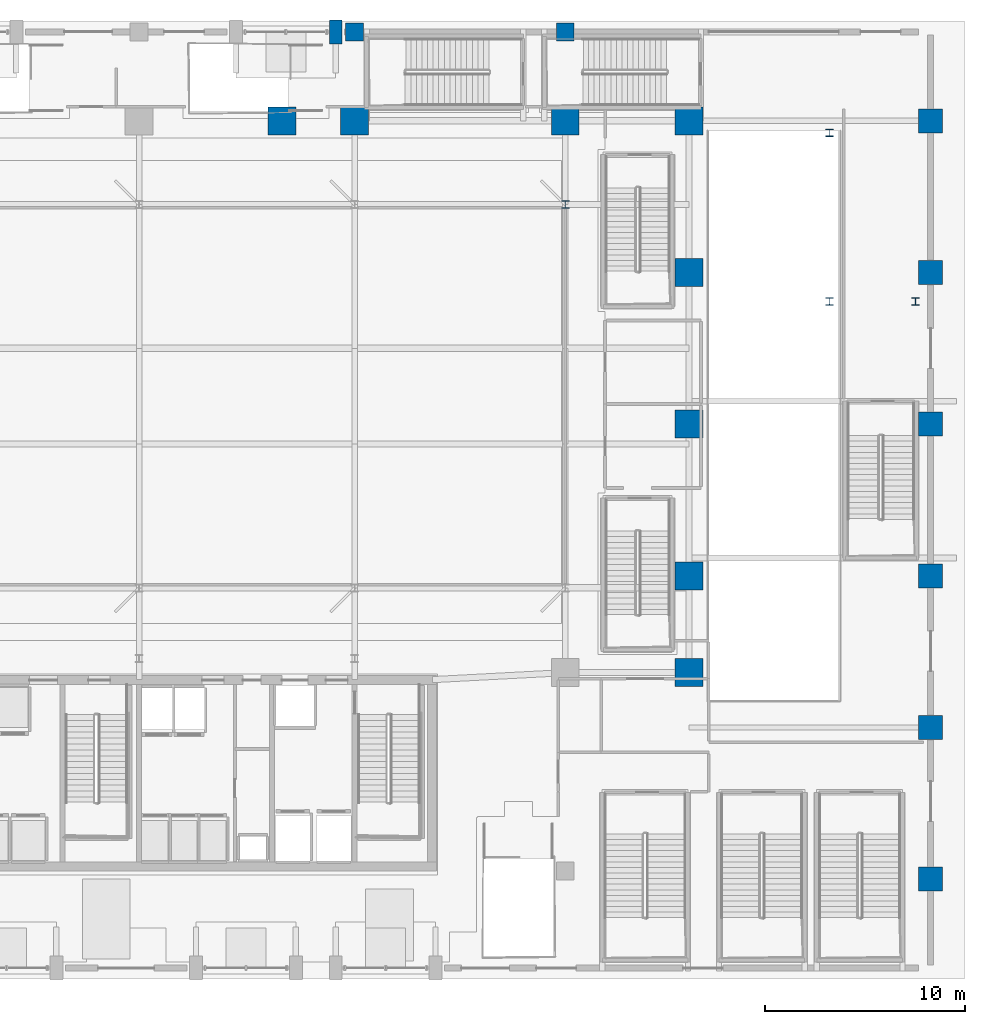
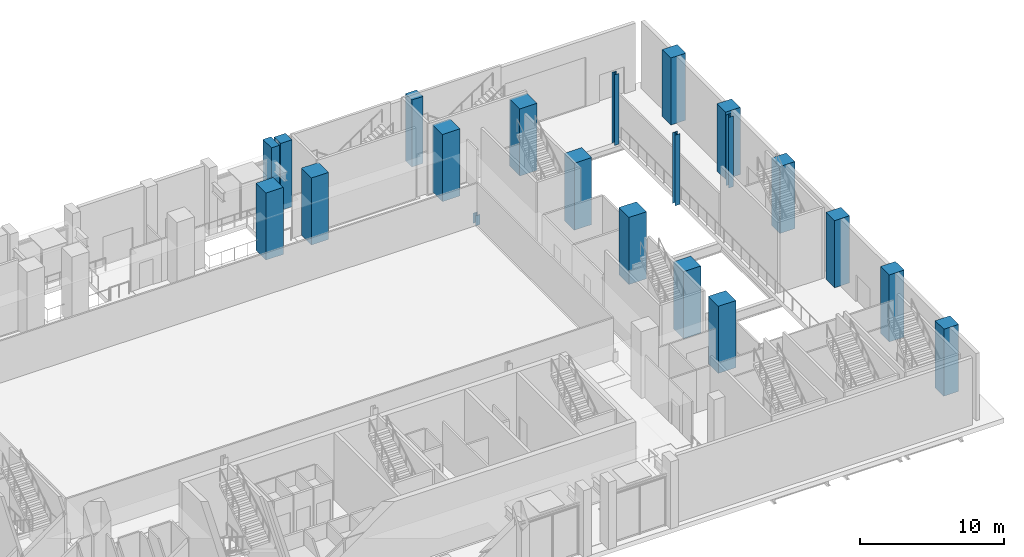
# One storey, part 4 of 36: 21 columns.
"""IFC4 building model written with IfcOpenShell, lengths in metres."""

from ifc_helpers import new_model, si_unit, direction, frame, origin, origin_2d, place, context, subcontext, project, spatial, rectangle, i_section, extrude, material, material_profile, profile_set, type_object, element, save


model = new_model("IFC4")

# Units and contexts
model_context = context("Model", 3, precision=1e-05, world=origin(), true_north=direction((0.0, 1.0)))
body_context = subcontext(model_context, "Body", "Model", "MODEL_VIEW")
ifc_project = project(units=[si_unit("LENGTHUNIT", "METRE"), si_unit("AREAUNIT", "SQUARE_METRE"), si_unit("VOLUMEUNIT", "CUBIC_METRE"), si_unit("PLANEANGLEUNIT", "RADIAN"), si_unit("MASSUNIT", "GRAM", prefix="KILO")], contexts=[model_context])

# Site, building, storey
site_placement = place(None, origin())
site = spatial("IfcSite", under=ifc_project, at=site_placement, CompositionType="ELEMENT")
building_placement = place(site_placement, origin())
building = spatial("IfcBuilding", under=site, at=building_placement, Name="Ndaravel Arena Tower", CompositionType="ELEMENT")
storey_placement = place(building_placement, origin())
storey = spatial("IfcBuildingStorey", under=building, at=storey_placement, Name="L00", CompositionType="ELEMENT", Elevation=0.0)

# Columns
ifc_material_1 = material(Name="Concrete C40/50", Category="concrete")
ifc_material_profile_1 = material_profile(ifc_material_1, rectangle(XDim=0.89990234375, YDim=0.89990234375, at=origin_2d()), Name="RC 900x900")
ifc_profile_set_1 = profile_set([ifc_material_profile_1], Name="Concrete C40/50")
column_type_1 = type_object("IfcColumnType", Name="COL-BSMT-RC900", PredefinedType="COLUMN", material=ifc_profile_set_1)
for number, where, z_axis, x_axis, name in (
    (1, (53.449951171875, 47.449951171875, 0.0), (0.0, 0.0, 1.0), (1.0, 0.0, 0.0), "L00 North Concourse Column 4"),
    (2, (64.0, 47.449951171875, 0.0), (0.0, 0.0, 1.0), (1.0, 0.0, 0.0), "L00 North Concourse Column 5"),
):
    element("IfcColumn", number, at=place(storey_placement, frame(where, z_axis=z_axis, x_axis=x_axis)), inside=storey, type_object=column_type_1, Name=name, PredefinedType="COLUMN", context=body_context, shape_type="SweptSolid", body=[
        extrude(rectangle(XDim=0.89990234375, YDim=0.89990234375, at=origin_2d()), origin(), (0.0, 0.0, 1.0), 5.699951171875),
    ])
ifc_material_2 = material(Name="Steel S355", Category="steel")
ifc_material_profile_2 = material_profile(ifc_material_2, i_section(OverallWidth=0.374755859375, OverallDepth=0.37451171875, WebThickness=0.0166015625, FlangeThickness=0.027099609375, FilletRadius=0.01513671875, at=origin_2d()), Name="UC 356x368x202")
ifc_profile_set_2 = profile_set([ifc_material_profile_2], Name="Steel S355")
column_type_2 = type_object("IfcColumnType", Name="COL-CRN-UC202", PredefinedType="COLUMN", material=ifc_profile_set_2)
column_1_placement = place(storey_placement, frame((64.0, 38.800048828125, 0.0), z_axis=(0.0, 0.0, 1.0), x_axis=(1.0, 0.0, 0.0)))
element("IfcColumn", 3, at=column_1_placement, inside=storey, type_object=column_type_2, Name="L00 North Stand Raker Plinth Post 5", PredefinedType="COLUMN", context=body_context, shape_type="SweptSolid", body=[
    extrude(i_section(OverallWidth=0.374755859375, OverallDepth=0.37451171875, WebThickness=0.0166015625, FlangeThickness=0.027099609375, FilletRadius=0.01513671875, at=origin_2d()), origin(), (0.0, 0.0, 1.0), 0.85009765625),
])
for number, where, z_axis, x_axis, name in (
    (4, (77.25, 33.949951171875, 0.0), (0.0, 0.0, 1.0), (1.0, 0.0, 0.0), "L00 Garden Stair ST-GDN-2 Pier 1.1"),
    (5, (77.25, 42.39990234375, 0.0), (0.0, 0.0, 1.0), (1.0, 0.0, 0.0), "L00 Garden Stair ST-GDN-2 Pier 1.2"),
    (6, (81.550048828125, 33.949951171875, 0.0), (0.0, 0.0, 1.0), (1.0, 0.0, 0.0), "L00 Garden Stair ST-GDN-2 Pier 2.1"),
):
    element("IfcColumn", number, at=place(storey_placement, frame(where, z_axis=z_axis, x_axis=x_axis)), inside=storey, type_object=column_type_2, Name=name, PredefinedType="COLUMN", context=body_context, shape_type="SweptSolid", body=[
        extrude(i_section(OverallWidth=0.374755859375, OverallDepth=0.37451171875, WebThickness=0.0166015625, FlangeThickness=0.027099609375, FilletRadius=0.01513671875, at=origin_2d()), origin(), (0.0, 0.0, 1.0), 6.0),
    ])
ifc_material_3 = material(Name="Concrete C60/75", Category="concrete")
ifc_material_profile_3 = material_profile(ifc_material_3, rectangle(XDim=1.199951171875, YDim=1.199951171875, at=origin_2d()), Name="RC 1200x1200")
ifc_profile_set_3 = profile_set([ifc_material_profile_3], Name="Concrete C60/75")
column_type_3 = type_object("IfcColumnType", Name="COL-MEGA-RC1200", PredefinedType="COLUMN", material=ifc_profile_set_3)
for number, where, z_axis, x_axis, name in (
    (7, (82.300048828125, 5.0, 0.0), (0.0, 0.0, 1.0), (1.0, 0.0, 0.0), "L00 Perimeter Mega Column 07"),
    (8, (82.300048828125, 12.60009765625, 0.0), (0.0, 0.0, 1.0), (1.0, 0.0, 0.0), "L00 Perimeter Mega Column 08"),
    (9, (82.300048828125, 20.199951171875, 0.0), (0.0, 0.0, 1.0), (1.0, 0.0, 0.0), "L00 Perimeter Mega Column 09"),
    (10, (82.300048828125, 27.800048828125, 0.0), (0.0, 0.0, 1.0), (1.0, 0.0, 0.0), "L00 Perimeter Mega Column 10"),
    (11, (82.300048828125, 35.39990234375, 0.0), (0.0, 0.0, 1.0), (1.0, 0.0, 0.0), "L00 Perimeter Mega Column 11"),
    (12, (82.300048828125, 43.0, 0.0), (0.0, 0.0, 1.0), (1.0, 0.0, 0.0), "L00 Perimeter Mega Column 12"),
):
    element("IfcColumn", number, at=place(storey_placement, frame(where, z_axis=z_axis, x_axis=x_axis)), inside=storey, type_object=column_type_3, Name=name, PredefinedType="COLUMN", context=body_context, shape_type="SweptSolid", body=[
        extrude(rectangle(XDim=1.199951171875, YDim=1.199951171875, at=origin_2d()), origin(), (0.0, 0.0, 1.0), 5.699951171875),
    ])
ifc_material_4 = material(Name="Concrete C60/75", Category="concrete")
ifc_material_profile_4 = material_profile(ifc_material_4, rectangle(XDim=1.39990234375, YDim=1.39990234375, at=origin_2d()), Name="RC 1400x1400")
ifc_profile_set_4 = profile_set([ifc_material_profile_4], Name="Concrete C60/75")
column_type_4 = type_object("IfcColumnType", Name="COL-MEGA-RC1400", PredefinedType="COLUMN", material=ifc_profile_set_4)
for number, where, z_axis, x_axis, name in (
    (13, (70.199951171875, 15.35009765625, 0.0), (0.0, 0.0, 1.0), (1.0, 0.0, 0.0), "L00 Arena Ring Mega Column 06"),
    (14, (70.199951171875, 20.199951171875, 0.0), (0.0, 0.0, 1.0), (1.0, 0.0, 0.0), "L00 Arena Ring Mega Column 07"),
    (15, (70.199951171875, 27.800048828125, 0.0), (0.0, 0.0, 1.0), (1.0, 0.0, 0.0), "L00 Arena Ring Mega Column 08"),
    (16, (70.199951171875, 35.39990234375, 0.0), (0.0, 0.0, 1.0), (1.0, 0.0, 0.0), "L00 Arena Ring Mega Column 09"),
    (17, (70.199951171875, 43.0, 0.0), (0.0, 0.0, 1.0), (1.0, 0.0, 0.0), "L00 Arena Ring Mega Column 10"),
    (18, (49.800048828125, 43.0, 0.0), (0.0, 0.0, 1.0), (1.0, 0.0, 0.0), "L00 Arena Ring Mega Column 17"),
    (19, (53.449951171875, 43.0, 0.0), (0.0, 0.0, 1.0), (1.0, 0.0, 0.0), "L00 Arena Ring Mega Column 18"),
    (20, (64.0, 43.0, 0.0), (0.0, 0.0, 1.0), (1.0, 0.0, 0.0), "L00 Arena Ring Mega Column 19"),
):
    element("IfcColumn", number, at=place(storey_placement, frame(where, z_axis=z_axis, x_axis=x_axis)), inside=storey, type_object=column_type_4, Name=name, PredefinedType="COLUMN", context=body_context, shape_type="SweptSolid", body=[
        extrude(rectangle(XDim=1.39990234375, YDim=1.39990234375, at=origin_2d()), origin(), (0.0, 0.0, 1.0), 5.699951171875),
    ])
ifc_material_5 = material(Name="Concrete C40/50", Category="concrete")
ifc_material_profile_5 = material_profile(ifc_material_5, rectangle(XDim=0.64990234375, YDim=1.199951171875, at=origin_2d()), Name="RC 650x1200")
ifc_profile_set_5 = profile_set([ifc_material_profile_5], Name="Concrete C40/50")
column_type_5 = type_object("IfcColumnType", Name="COL-PIL-RC650", PredefinedType="PILASTER", material=ifc_profile_set_5)
column_2_placement = place(storey_placement, frame((52.5, 47.449951171875, 0.0), z_axis=(0.0, 0.0, 1.0), x_axis=(1.0, 0.0, 0.0)))
element("IfcColumn", 21, at=column_2_placement, inside=storey, type_object=column_type_5, Name="L00 North Canopy Pilaster 04", PredefinedType="PILASTER", context=body_context, shape_type="SweptSolid", body=[
    extrude(rectangle(XDim=0.64990234375, YDim=1.199951171875, at=origin_2d()), origin(), (0.0, 0.0, 1.0), 5.699951171875),
])

save(model, "model.ifc")
